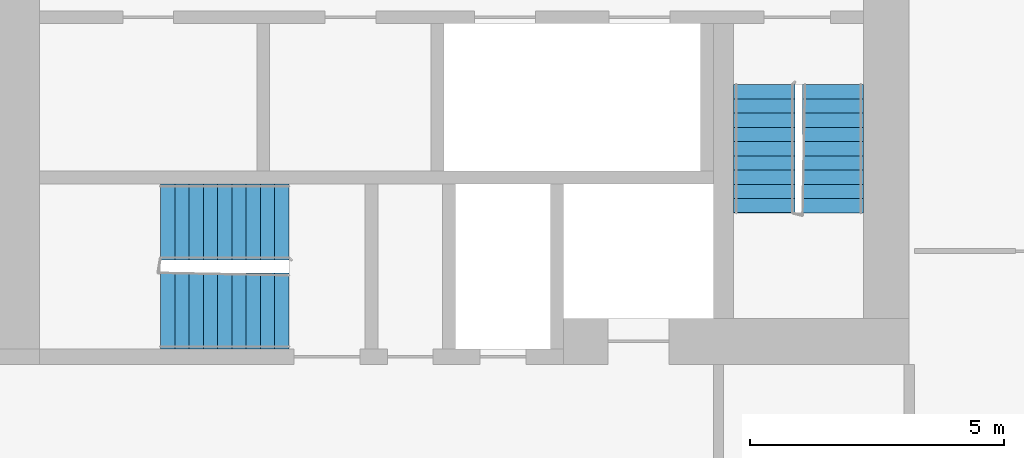
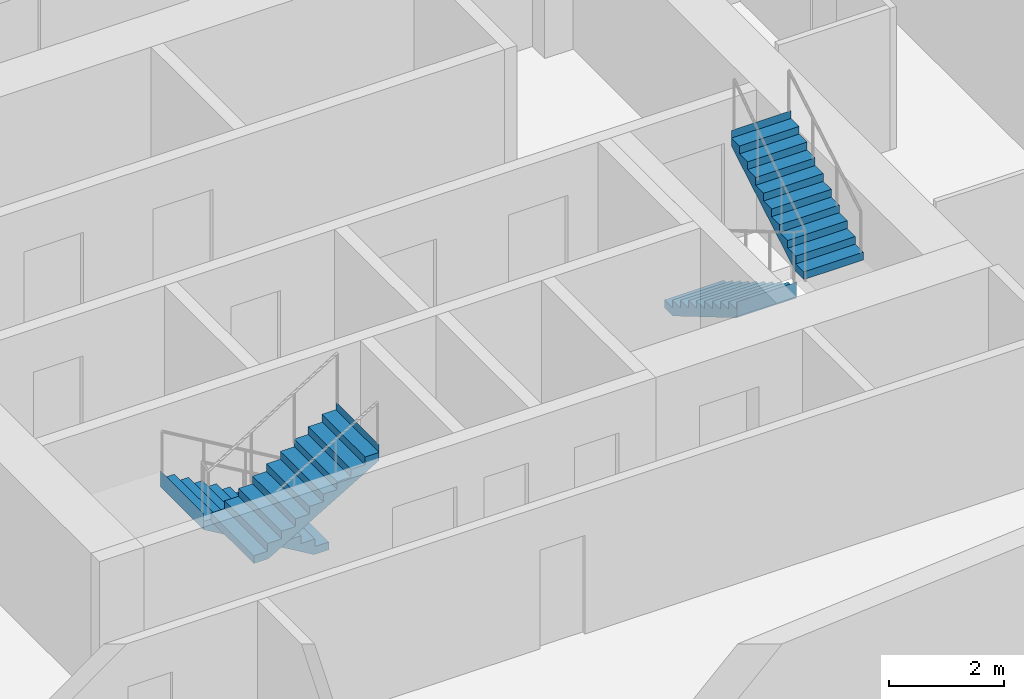
# One storey, part 9 of 12: 4 stair flights, 2 elements without a shape of their own.
"""IFC4 building model written with IfcOpenShell, lengths in metres."""

from ifc_helpers import new_model, si_unit, direction, frame, origin, place, context, subcontext, project, spatial, faceted_brep, material, type_object, element, aggregate, save


model = new_model("IFC4")

# Units and contexts
model_context = context("Model", 3, precision=1e-05, world=origin(), true_north=direction((0.0, 1.0)))
body_context = subcontext(model_context, "Body", "Model", "MODEL_VIEW")
ifc_project = project(units=[si_unit("LENGTHUNIT", "METRE"), si_unit("AREAUNIT", "SQUARE_METRE"), si_unit("VOLUMEUNIT", "CUBIC_METRE"), si_unit("PLANEANGLEUNIT", "RADIAN"), si_unit("MASSUNIT", "GRAM", prefix="KILO")], contexts=[model_context])

# Site, building, storey
site_placement = place(None, origin())
site = spatial("IfcSite", under=ifc_project, at=site_placement, CompositionType="ELEMENT")
building_placement = place(site_placement, origin())
building = spatial("IfcBuilding", under=site, at=building_placement, Name="Kajstack Hotel Tower", CompositionType="ELEMENT")
storey_placement = place(building_placement, frame((0.0, 0.0, 183.39990234375)))
storey = spatial("IfcBuildingStorey", under=building, at=storey_placement, Name="L43", CompositionType="ELEMENT", Elevation=183.39990234375)

# Stair, stair flights
ifc_material = material(Name="Concrete C40/50", Category="concrete")
stair_type_1 = type_object("IfcStairType", Name="Exit stair 1200", PredefinedType="HALF_TURN_STAIR", material=ifc_material)
stair_1_placement = place(storey_placement, origin())
stair_1 = element("IfcStair", 1, at=stair_1_placement, inside=storey, type_object=stair_type_1, Name="L43 stair W2", PredefinedType="HALF_TURN_STAIR")
stair_flight_type_1 = type_object("IfcStairFlightType", Name="Exit stair flight 1200", PredefinedType="STRAIGHT", material=ifc_material)
stair_flight_1_placement = place(storey_placement, frame((-16.35009765625, -10.0, 0.0), z_axis=(0.0, 0.0, 1.0), x_axis=(0.0, -1.0, 0.0)))
stair_flight_1 = element("IfcStairFlight", 2, at=stair_flight_1_placement, type_object=stair_flight_type_1, Name="W2 flight 1", NumberOfRisers=10, NumberOfTreads=9, PredefinedType="STRAIGHT", RiserHeight=0.165, TreadLength=0.28, context=body_context, shape_type="Brep", body=[
    faceted_brep([(0.295654296875, -0.60009765625, 0.0), (2.5205078125, -0.60009765625, 1.31103515625), (2.5205078125, -0.60009765625, 1.64990234375), (2.52001953125, -0.60009765625, 1.64990234375), (2.52001953125, -0.60009765625, 1.485107421875), (2.239990234375, -0.60009765625, 1.485107421875), (2.239990234375, -0.60009765625, 1.320068359375), (1.9599609375, -0.60009765625, 1.320068359375), (1.9599609375, -0.60009765625, 1.155029296875), (1.679931640625, -0.60009765625, 1.155029296875), (1.679931640625, -0.60009765625, 0.989990234375), (1.39990234375, -0.60009765625, 0.989990234375), (1.39990234375, -0.60009765625, 0.824951171875), (1.1201171875, -0.60009765625, 0.824951171875), (1.1201171875, -0.60009765625, 0.659912109375), (0.840087890625, -0.60009765625, 0.659912109375), (0.840087890625, -0.60009765625, 0.4951171875), (0.56005859375, -0.60009765625, 0.4951171875), (0.56005859375, -0.60009765625, 0.330078125), (0.280029296875, -0.60009765625, 0.330078125), (0.280029296875, -0.60009765625, 0.1650390625), (-0.00048828125, -0.60009765625, 0.1650390625), (-0.00048828125, -0.60009765625, 0.0), (-0.00048828125, 0.60009765625, 0.0), (-0.00048828125, 0.60009765625, 0.1650390625), (0.280029296875, 0.60009765625, 0.1650390625), (0.280029296875, 0.60009765625, 0.330078125), (0.56005859375, 0.60009765625, 0.330078125), (0.56005859375, 0.60009765625, 0.4951171875), (0.840087890625, 0.60009765625, 0.4951171875), (0.840087890625, 0.60009765625, 0.659912109375), (1.1201171875, 0.60009765625, 0.659912109375), (1.1201171875, 0.60009765625, 0.824951171875), (1.39990234375, 0.60009765625, 0.824951171875), (1.39990234375, 0.60009765625, 0.989990234375), (1.679931640625, 0.60009765625, 0.989990234375), (1.679931640625, 0.60009765625, 1.155029296875), (1.9599609375, 0.60009765625, 1.155029296875), (1.9599609375, 0.60009765625, 1.320068359375), (2.239990234375, 0.60009765625, 1.320068359375), (2.239990234375, 0.60009765625, 1.485107421875), (2.52001953125, 0.60009765625, 1.485107421875), (2.52001953125, 0.60009765625, 1.64990234375), (2.5205078125, 0.60009765625, 1.64990234375), (2.5205078125, 0.60009765625, 1.31103515625), (0.295654296875, 0.60009765625, 0.0), (-0.00048828125, -0.300048828125, 0.1650390625), (-0.00048828125, 0.0, 0.1650390625), (-0.00048828125, 0.300048828125, 0.1650390625), (-0.00048828125, 0.300048828125, 0.0), (-0.00048828125, 0.0, 0.0), (-0.00048828125, -0.300048828125, 0.0), (0.280029296875, -0.300048828125, 0.1650390625), (0.280029296875, 0.0, 0.1650390625), (0.280029296875, 0.300048828125, 0.1650390625), (0.280029296875, -0.300048828125, 0.330078125), (0.280029296875, 0.0, 0.330078125), (0.280029296875, 0.300048828125, 0.330078125), (0.56005859375, -0.300048828125, 0.330078125), (0.56005859375, 0.0, 0.330078125), (0.56005859375, 0.300048828125, 0.330078125), (0.56005859375, -0.300048828125, 0.4951171875), (0.56005859375, 0.0, 0.4951171875), (0.56005859375, 0.300048828125, 0.4951171875), (0.840087890625, -0.300048828125, 0.4951171875), (0.840087890625, 0.0, 0.4951171875), (0.840087890625, 0.300048828125, 0.4951171875), (0.840087890625, -0.300048828125, 0.659912109375), (0.840087890625, 0.0, 0.659912109375), (0.840087890625, 0.300048828125, 0.659912109375), (1.1201171875, -0.300048828125, 0.659912109375), (1.1201171875, 0.0, 0.659912109375), (1.1201171875, 0.300048828125, 0.659912109375), (1.1201171875, -0.300048828125, 0.824951171875), (1.1201171875, 0.0, 0.824951171875), (1.1201171875, 0.300048828125, 0.824951171875), (1.39990234375, -0.300048828125, 0.824951171875), (1.39990234375, 0.0, 0.824951171875), (1.39990234375, 0.300048828125, 0.824951171875), (1.39990234375, -0.300048828125, 0.989990234375), (1.39990234375, 0.0, 0.989990234375), (1.39990234375, 0.300048828125, 0.989990234375), (1.679931640625, -0.300048828125, 0.989990234375), (1.679931640625, 0.0, 0.989990234375), (1.679931640625, 0.300048828125, 0.989990234375), (1.679931640625, -0.300048828125, 1.155029296875), (1.679931640625, 0.0, 1.155029296875), (1.679931640625, 0.300048828125, 1.155029296875), (1.9599609375, -0.300048828125, 1.155029296875), (1.9599609375, 0.0, 1.155029296875), (1.9599609375, 0.300048828125, 1.155029296875), (1.9599609375, -0.300048828125, 1.320068359375), (1.9599609375, 0.0, 1.320068359375), (1.9599609375, 0.300048828125, 1.320068359375), (2.239990234375, -0.300048828125, 1.320068359375), (2.239990234375, 0.0, 1.320068359375), (2.239990234375, 0.300048828125, 1.320068359375), (2.239990234375, -0.300048828125, 1.485107421875), (2.239990234375, 0.0, 1.485107421875), (2.239990234375, 0.300048828125, 1.485107421875), (2.52001953125, -0.300048828125, 1.485107421875), (2.52001953125, 0.0, 1.485107421875), (2.52001953125, 0.300048828125, 1.485107421875), (2.52001953125, -0.300048828125, 1.64990234375), (2.52001953125, 0.0, 1.64990234375), (2.52001953125, 0.300048828125, 1.64990234375), (2.5205078125, -0.300048828125, 1.64990234375), (2.5205078125, 0.0, 1.64990234375), (2.5205078125, 0.300048828125, 1.64990234375), (2.5205078125, -0.300048828125, 1.31103515625), (2.5205078125, 0.0, 1.31103515625), (2.5205078125, 0.300048828125, 1.31103515625), (0.295654296875, -0.300048828125, 0.0), (0.295654296875, 0.0, 0.0), (0.295654296875, 0.300048828125, 0.0)], [[[0, 1, 2, 3, 4, 5, 6, 7, 8, 9, 10, 11, 12, 13, 14, 15, 16, 17, 18, 19, 20, 21, 22]], [[23, 24, 25, 26, 27, 28, 29, 30, 31, 32, 33, 34, 35, 36, 37, 38, 39, 40, 41, 42, 43, 44, 45]], [[21, 46, 47, 48, 24, 23, 49, 50, 51, 22]], [[20, 52, 53, 54, 25, 24, 48, 47, 46, 21]], [[19, 55, 56, 57, 26, 25, 54, 53, 52, 20]], [[18, 58, 59, 60, 27, 26, 57, 56, 55, 19]], [[17, 61, 62, 63, 28, 27, 60, 59, 58, 18]], [[16, 64, 65, 66, 29, 28, 63, 62, 61, 17]], [[15, 67, 68, 69, 30, 29, 66, 65, 64, 16]], [[14, 70, 71, 72, 31, 30, 69, 68, 67, 15]], [[13, 73, 74, 75, 32, 31, 72, 71, 70, 14]], [[12, 76, 77, 78, 33, 32, 75, 74, 73, 13]], [[11, 79, 80, 81, 34, 33, 78, 77, 76, 12]], [[10, 82, 83, 84, 35, 34, 81, 80, 79, 11]], [[9, 85, 86, 87, 36, 35, 84, 83, 82, 10]], [[8, 88, 89, 90, 37, 36, 87, 86, 85, 9]], [[7, 91, 92, 93, 38, 37, 90, 89, 88, 8]], [[6, 94, 95, 96, 39, 38, 93, 92, 91, 7]], [[5, 97, 98, 99, 40, 39, 96, 95, 94, 6]], [[4, 100, 101, 102, 41, 40, 99, 98, 97, 5]], [[3, 103, 104, 105, 42, 41, 102, 101, 100, 4]], [[2, 106, 107, 108, 43, 42, 105, 104, 103, 3]], [[1, 109, 110, 111, 44, 43, 108, 107, 106, 2]], [[0, 112, 113, 114, 45, 44, 111, 110, 109, 1]], [[22, 51, 50, 49, 23, 45, 114, 113, 112, 0]]]),
])
stair_flight_2_placement = place(storey_placement, frame((-15.0, -12.52001953125, 1.650146484375), z_axis=(0.0, 0.0, 1.0), x_axis=(0.0, 1.0, 0.0)))
stair_flight_2 = element("IfcStairFlight", 3, at=stair_flight_2_placement, type_object=stair_flight_type_1, Name="W2 flight 2", NumberOfRisers=10, NumberOfTreads=9, PredefinedType="STRAIGHT", RiserHeight=0.165, TreadLength=0.28, context=body_context, shape_type="Brep", body=[
    faceted_brep([(0.295654296875, -0.60009765625, 0.0), (2.5205078125, -0.60009765625, 1.31103515625), (2.5205078125, -0.60009765625, 1.64990234375), (2.52001953125, -0.60009765625, 1.64990234375), (2.52001953125, -0.60009765625, 1.485107421875), (2.239990234375, -0.60009765625, 1.485107421875), (2.239990234375, -0.60009765625, 1.320068359375), (1.9599609375, -0.60009765625, 1.320068359375), (1.9599609375, -0.60009765625, 1.155029296875), (1.679931640625, -0.60009765625, 1.155029296875), (1.679931640625, -0.60009765625, 0.989990234375), (1.39990234375, -0.60009765625, 0.989990234375), (1.39990234375, -0.60009765625, 0.824951171875), (1.1201171875, -0.60009765625, 0.824951171875), (1.1201171875, -0.60009765625, 0.659912109375), (0.840087890625, -0.60009765625, 0.659912109375), (0.840087890625, -0.60009765625, 0.4951171875), (0.56005859375, -0.60009765625, 0.4951171875), (0.56005859375, -0.60009765625, 0.330078125), (0.280029296875, -0.60009765625, 0.330078125), (0.280029296875, -0.60009765625, 0.1650390625), (-0.00048828125, -0.60009765625, 0.1650390625), (-0.00048828125, -0.60009765625, 0.0), (-0.00048828125, 0.60009765625, 0.0), (-0.00048828125, 0.60009765625, 0.1650390625), (0.280029296875, 0.60009765625, 0.1650390625), (0.280029296875, 0.60009765625, 0.330078125), (0.56005859375, 0.60009765625, 0.330078125), (0.56005859375, 0.60009765625, 0.4951171875), (0.840087890625, 0.60009765625, 0.4951171875), (0.840087890625, 0.60009765625, 0.659912109375), (1.1201171875, 0.60009765625, 0.659912109375), (1.1201171875, 0.60009765625, 0.824951171875), (1.39990234375, 0.60009765625, 0.824951171875), (1.39990234375, 0.60009765625, 0.989990234375), (1.679931640625, 0.60009765625, 0.989990234375), (1.679931640625, 0.60009765625, 1.155029296875), (1.9599609375, 0.60009765625, 1.155029296875), (1.9599609375, 0.60009765625, 1.320068359375), (2.239990234375, 0.60009765625, 1.320068359375), (2.239990234375, 0.60009765625, 1.485107421875), (2.52001953125, 0.60009765625, 1.485107421875), (2.52001953125, 0.60009765625, 1.64990234375), (2.5205078125, 0.60009765625, 1.64990234375), (2.5205078125, 0.60009765625, 1.31103515625), (0.295654296875, 0.60009765625, 0.0), (-0.00048828125, -0.300048828125, 0.1650390625), (-0.00048828125, 0.0, 0.1650390625), (-0.00048828125, 0.300048828125, 0.1650390625), (-0.00048828125, 0.300048828125, 0.0), (-0.00048828125, 0.0, 0.0), (-0.00048828125, -0.300048828125, 0.0), (0.280029296875, -0.300048828125, 0.1650390625), (0.280029296875, 0.0, 0.1650390625), (0.280029296875, 0.300048828125, 0.1650390625), (0.280029296875, -0.300048828125, 0.330078125), (0.280029296875, 0.0, 0.330078125), (0.280029296875, 0.300048828125, 0.330078125), (0.56005859375, -0.300048828125, 0.330078125), (0.56005859375, 0.0, 0.330078125), (0.56005859375, 0.300048828125, 0.330078125), (0.56005859375, -0.300048828125, 0.4951171875), (0.56005859375, 0.0, 0.4951171875), (0.56005859375, 0.300048828125, 0.4951171875), (0.840087890625, -0.300048828125, 0.4951171875), (0.840087890625, 0.0, 0.4951171875), (0.840087890625, 0.300048828125, 0.4951171875), (0.840087890625, -0.300048828125, 0.659912109375), (0.840087890625, 0.0, 0.659912109375), (0.840087890625, 0.300048828125, 0.659912109375), (1.1201171875, -0.300048828125, 0.659912109375), (1.1201171875, 0.0, 0.659912109375), (1.1201171875, 0.300048828125, 0.659912109375), (1.1201171875, -0.300048828125, 0.824951171875), (1.1201171875, 0.0, 0.824951171875), (1.1201171875, 0.300048828125, 0.824951171875), (1.39990234375, -0.300048828125, 0.824951171875), (1.39990234375, 0.0, 0.824951171875), (1.39990234375, 0.300048828125, 0.824951171875), (1.39990234375, -0.300048828125, 0.989990234375), (1.39990234375, 0.0, 0.989990234375), (1.39990234375, 0.300048828125, 0.989990234375), (1.679931640625, -0.300048828125, 0.989990234375), (1.679931640625, 0.0, 0.989990234375), (1.679931640625, 0.300048828125, 0.989990234375), (1.679931640625, -0.300048828125, 1.155029296875), (1.679931640625, 0.0, 1.155029296875), (1.679931640625, 0.300048828125, 1.155029296875), (1.9599609375, -0.300048828125, 1.155029296875), (1.9599609375, 0.0, 1.155029296875), (1.9599609375, 0.300048828125, 1.155029296875), (1.9599609375, -0.300048828125, 1.320068359375), (1.9599609375, 0.0, 1.320068359375), (1.9599609375, 0.300048828125, 1.320068359375), (2.239990234375, -0.300048828125, 1.320068359375), (2.239990234375, 0.0, 1.320068359375), (2.239990234375, 0.300048828125, 1.320068359375), (2.239990234375, -0.300048828125, 1.485107421875), (2.239990234375, 0.0, 1.485107421875), (2.239990234375, 0.300048828125, 1.485107421875), (2.52001953125, -0.300048828125, 1.485107421875), (2.52001953125, 0.0, 1.485107421875), (2.52001953125, 0.300048828125, 1.485107421875), (2.52001953125, -0.300048828125, 1.64990234375), (2.52001953125, 0.0, 1.64990234375), (2.52001953125, 0.300048828125, 1.64990234375), (2.5205078125, -0.300048828125, 1.64990234375), (2.5205078125, 0.0, 1.64990234375), (2.5205078125, 0.300048828125, 1.64990234375), (2.5205078125, -0.300048828125, 1.31103515625), (2.5205078125, 0.0, 1.31103515625), (2.5205078125, 0.300048828125, 1.31103515625), (0.295654296875, -0.300048828125, 0.0), (0.295654296875, 0.0, 0.0), (0.295654296875, 0.300048828125, 0.0)], [[[0, 1, 2, 3, 4, 5, 6, 7, 8, 9, 10, 11, 12, 13, 14, 15, 16, 17, 18, 19, 20, 21, 22]], [[23, 24, 25, 26, 27, 28, 29, 30, 31, 32, 33, 34, 35, 36, 37, 38, 39, 40, 41, 42, 43, 44, 45]], [[21, 46, 47, 48, 24, 23, 49, 50, 51, 22]], [[20, 52, 53, 54, 25, 24, 48, 47, 46, 21]], [[19, 55, 56, 57, 26, 25, 54, 53, 52, 20]], [[18, 58, 59, 60, 27, 26, 57, 56, 55, 19]], [[17, 61, 62, 63, 28, 27, 60, 59, 58, 18]], [[16, 64, 65, 66, 29, 28, 63, 62, 61, 17]], [[15, 67, 68, 69, 30, 29, 66, 65, 64, 16]], [[14, 70, 71, 72, 31, 30, 69, 68, 67, 15]], [[13, 73, 74, 75, 32, 31, 72, 71, 70, 14]], [[12, 76, 77, 78, 33, 32, 75, 74, 73, 13]], [[11, 79, 80, 81, 34, 33, 78, 77, 76, 12]], [[10, 82, 83, 84, 35, 34, 81, 80, 79, 11]], [[9, 85, 86, 87, 36, 35, 84, 83, 82, 10]], [[8, 88, 89, 90, 37, 36, 87, 86, 85, 9]], [[7, 91, 92, 93, 38, 37, 90, 89, 88, 8]], [[6, 94, 95, 96, 39, 38, 93, 92, 91, 7]], [[5, 97, 98, 99, 40, 39, 96, 95, 94, 6]], [[4, 100, 101, 102, 41, 40, 99, 98, 97, 5]], [[3, 103, 104, 105, 42, 41, 102, 101, 100, 4]], [[2, 106, 107, 108, 43, 42, 105, 104, 103, 3]], [[1, 109, 110, 111, 44, 43, 108, 107, 106, 2]], [[0, 112, 113, 114, 45, 44, 111, 110, 109, 1]], [[22, 51, 50, 49, 23, 45, 114, 113, 112, 0]]]),
])
aggregate(stair_1, [stair_flight_1, stair_flight_2])

stair_type_2 = type_object("IfcStairType", Name="Exit stair 1500", PredefinedType="HALF_TURN_STAIR", material=ifc_material)
stair_2_placement = place(storey_placement, origin())
stair_2 = element("IfcStair", 4, at=stair_2_placement, inside=storey, type_object=stair_type_2, Name="L43 stair W3", PredefinedType="HALF_TURN_STAIR")
stair_flight_type_2 = type_object("IfcStairFlightType", Name="Exit stair flight 1500", PredefinedType="STRAIGHT", material=ifc_material)
stair_flight_3_placement = place(storey_placement, frame((-25.699951171875, -12.699951171875, 0.0), z_axis=(0.0, 0.0, 1.0), x_axis=(-1.0, 0.0, 0.0)))
stair_flight_3 = element("IfcStairFlight", 5, at=stair_flight_3_placement, type_object=stair_flight_type_2, Name="W3 flight 1", NumberOfRisers=10, NumberOfTreads=9, PredefinedType="STRAIGHT", RiserHeight=0.165, TreadLength=0.28, context=body_context, shape_type="Brep", body=[
    faceted_brep([(0.295654296875, -0.75, 0.0), (2.5205078125, -0.75, 1.31103515625), (2.5205078125, -0.75, 1.64990234375), (2.52001953125, -0.75, 1.64990234375), (2.52001953125, -0.75, 1.485107421875), (2.239990234375, -0.75, 1.485107421875), (2.239990234375, -0.75, 1.320068359375), (1.9599609375, -0.75, 1.320068359375), (1.9599609375, -0.75, 1.155029296875), (1.679931640625, -0.75, 1.155029296875), (1.679931640625, -0.75, 0.989990234375), (1.39990234375, -0.75, 0.989990234375), (1.39990234375, -0.75, 0.824951171875), (1.1201171875, -0.75, 0.824951171875), (1.1201171875, -0.75, 0.659912109375), (0.840087890625, -0.75, 0.659912109375), (0.840087890625, -0.75, 0.4951171875), (0.56005859375, -0.75, 0.4951171875), (0.56005859375, -0.75, 0.330078125), (0.280029296875, -0.75, 0.330078125), (0.280029296875, -0.75, 0.1650390625), (-0.00048828125, -0.75, 0.1650390625), (-0.00048828125, -0.75, 0.0), (-0.00048828125, 0.75, 0.0), (-0.00048828125, 0.75, 0.1650390625), (0.280029296875, 0.75, 0.1650390625), (0.280029296875, 0.75, 0.330078125), (0.56005859375, 0.75, 0.330078125), (0.56005859375, 0.75, 0.4951171875), (0.840087890625, 0.75, 0.4951171875), (0.840087890625, 0.75, 0.659912109375), (1.1201171875, 0.75, 0.659912109375), (1.1201171875, 0.75, 0.824951171875), (1.39990234375, 0.75, 0.824951171875), (1.39990234375, 0.75, 0.989990234375), (1.679931640625, 0.75, 0.989990234375), (1.679931640625, 0.75, 1.155029296875), (1.9599609375, 0.75, 1.155029296875), (1.9599609375, 0.75, 1.320068359375), (2.239990234375, 0.75, 1.320068359375), (2.239990234375, 0.75, 1.485107421875), (2.52001953125, 0.75, 1.485107421875), (2.52001953125, 0.75, 1.64990234375), (2.5205078125, 0.75, 1.64990234375), (2.5205078125, 0.75, 1.31103515625), (0.295654296875, 0.75, 0.0), (-0.00048828125, -0.375, 0.1650390625), (-0.00048828125, 0.0, 0.1650390625), (-0.00048828125, 0.375, 0.1650390625), (-0.00048828125, 0.375, 0.0), (-0.00048828125, 0.0, 0.0), (-0.00048828125, -0.375, 0.0), (0.280029296875, -0.375, 0.1650390625), (0.280029296875, 0.0, 0.1650390625), (0.280029296875, 0.375, 0.1650390625), (0.280029296875, -0.375, 0.330078125), (0.280029296875, 0.0, 0.330078125), (0.280029296875, 0.375, 0.330078125), (0.56005859375, -0.375, 0.330078125), (0.56005859375, 0.0, 0.330078125), (0.56005859375, 0.375, 0.330078125), (0.56005859375, -0.375, 0.4951171875), (0.56005859375, 0.0, 0.4951171875), (0.56005859375, 0.375, 0.4951171875), (0.840087890625, -0.375, 0.4951171875), (0.840087890625, 0.0, 0.4951171875), (0.840087890625, 0.375, 0.4951171875), (0.840087890625, -0.375, 0.659912109375), (0.840087890625, 0.0, 0.659912109375), (0.840087890625, 0.375, 0.659912109375), (1.1201171875, -0.375, 0.659912109375), (1.1201171875, 0.0, 0.659912109375), (1.1201171875, 0.375, 0.659912109375), (1.1201171875, -0.375, 0.824951171875), (1.1201171875, 0.0, 0.824951171875), (1.1201171875, 0.375, 0.824951171875), (1.39990234375, -0.375, 0.824951171875), (1.39990234375, 0.0, 0.824951171875), (1.39990234375, 0.375, 0.824951171875), (1.39990234375, -0.375, 0.989990234375), (1.39990234375, 0.0, 0.989990234375), (1.39990234375, 0.375, 0.989990234375), (1.679931640625, -0.375, 0.989990234375), (1.679931640625, 0.0, 0.989990234375), (1.679931640625, 0.375, 0.989990234375), (1.679931640625, -0.375, 1.155029296875), (1.679931640625, 0.0, 1.155029296875), (1.679931640625, 0.375, 1.155029296875), (1.9599609375, -0.375, 1.155029296875), (1.9599609375, 0.0, 1.155029296875), (1.9599609375, 0.375, 1.155029296875), (1.9599609375, -0.375, 1.320068359375), (1.9599609375, 0.0, 1.320068359375), (1.9599609375, 0.375, 1.320068359375), (2.239990234375, -0.375, 1.320068359375), (2.239990234375, 0.0, 1.320068359375), (2.239990234375, 0.375, 1.320068359375), (2.239990234375, -0.375, 1.485107421875), (2.239990234375, 0.0, 1.485107421875), (2.239990234375, 0.375, 1.485107421875), (2.52001953125, -0.375, 1.485107421875), (2.52001953125, 0.0, 1.485107421875), (2.52001953125, 0.375, 1.485107421875), (2.52001953125, -0.375, 1.64990234375), (2.52001953125, 0.0, 1.64990234375), (2.52001953125, 0.375, 1.64990234375), (2.5205078125, -0.375, 1.64990234375), (2.5205078125, 0.0, 1.64990234375), (2.5205078125, 0.375, 1.64990234375), (2.5205078125, -0.375, 1.31103515625), (2.5205078125, 0.0, 1.31103515625), (2.5205078125, 0.375, 1.31103515625), (0.295654296875, -0.375, 0.0), (0.295654296875, 0.0, 0.0), (0.295654296875, 0.375, 0.0)], [[[0, 1, 2, 3, 4, 5, 6, 7, 8, 9, 10, 11, 12, 13, 14, 15, 16, 17, 18, 19, 20, 21, 22]], [[23, 24, 25, 26, 27, 28, 29, 30, 31, 32, 33, 34, 35, 36, 37, 38, 39, 40, 41, 42, 43, 44, 45]], [[21, 46, 47, 48, 24, 23, 49, 50, 51, 22]], [[20, 52, 53, 54, 25, 24, 48, 47, 46, 21]], [[19, 55, 56, 57, 26, 25, 54, 53, 52, 20]], [[18, 58, 59, 60, 27, 26, 57, 56, 55, 19]], [[17, 61, 62, 63, 28, 27, 60, 59, 58, 18]], [[16, 64, 65, 66, 29, 28, 63, 62, 61, 17]], [[15, 67, 68, 69, 30, 29, 66, 65, 64, 16]], [[14, 70, 71, 72, 31, 30, 69, 68, 67, 15]], [[13, 73, 74, 75, 32, 31, 72, 71, 70, 14]], [[12, 76, 77, 78, 33, 32, 75, 74, 73, 13]], [[11, 79, 80, 81, 34, 33, 78, 77, 76, 12]], [[10, 82, 83, 84, 35, 34, 81, 80, 79, 11]], [[9, 85, 86, 87, 36, 35, 84, 83, 82, 10]], [[8, 88, 89, 90, 37, 36, 87, 86, 85, 9]], [[7, 91, 92, 93, 38, 37, 90, 89, 88, 8]], [[6, 94, 95, 96, 39, 38, 93, 92, 91, 7]], [[5, 97, 98, 99, 40, 39, 96, 95, 94, 6]], [[4, 100, 101, 102, 41, 40, 99, 98, 97, 5]], [[3, 103, 104, 105, 42, 41, 102, 101, 100, 4]], [[2, 106, 107, 108, 43, 42, 105, 104, 103, 3]], [[1, 109, 110, 111, 44, 43, 108, 107, 106, 2]], [[0, 112, 113, 114, 45, 44, 111, 110, 109, 1]], [[22, 51, 50, 49, 23, 45, 114, 113, 112, 0]]]),
])
stair_flight_4_placement = place(storey_placement, frame((-28.219970703125, -14.449951171875, 1.650146484375), z_axis=(0.0, 0.0, 1.0), x_axis=(1.0, 0.0, 0.0)))
stair_flight_4 = element("IfcStairFlight", 6, at=stair_flight_4_placement, type_object=stair_flight_type_2, Name="W3 flight 2", NumberOfRisers=10, NumberOfTreads=9, PredefinedType="STRAIGHT", RiserHeight=0.165, TreadLength=0.28, context=body_context, shape_type="Brep", body=[
    faceted_brep([(0.295654296875, -0.75, 0.0), (2.5205078125, -0.75, 1.31103515625), (2.5205078125, -0.75, 1.64990234375), (2.52001953125, -0.75, 1.64990234375), (2.52001953125, -0.75, 1.485107421875), (2.239990234375, -0.75, 1.485107421875), (2.239990234375, -0.75, 1.320068359375), (1.9599609375, -0.75, 1.320068359375), (1.9599609375, -0.75, 1.155029296875), (1.679931640625, -0.75, 1.155029296875), (1.679931640625, -0.75, 0.989990234375), (1.39990234375, -0.75, 0.989990234375), (1.39990234375, -0.75, 0.824951171875), (1.1201171875, -0.75, 0.824951171875), (1.1201171875, -0.75, 0.659912109375), (0.840087890625, -0.75, 0.659912109375), (0.840087890625, -0.75, 0.4951171875), (0.56005859375, -0.75, 0.4951171875), (0.56005859375, -0.75, 0.330078125), (0.280029296875, -0.75, 0.330078125), (0.280029296875, -0.75, 0.1650390625), (-0.00048828125, -0.75, 0.1650390625), (-0.00048828125, -0.75, 0.0), (-0.00048828125, 0.75, 0.0), (-0.00048828125, 0.75, 0.1650390625), (0.280029296875, 0.75, 0.1650390625), (0.280029296875, 0.75, 0.330078125), (0.56005859375, 0.75, 0.330078125), (0.56005859375, 0.75, 0.4951171875), (0.840087890625, 0.75, 0.4951171875), (0.840087890625, 0.75, 0.659912109375), (1.1201171875, 0.75, 0.659912109375), (1.1201171875, 0.75, 0.824951171875), (1.39990234375, 0.75, 0.824951171875), (1.39990234375, 0.75, 0.989990234375), (1.679931640625, 0.75, 0.989990234375), (1.679931640625, 0.75, 1.155029296875), (1.9599609375, 0.75, 1.155029296875), (1.9599609375, 0.75, 1.320068359375), (2.239990234375, 0.75, 1.320068359375), (2.239990234375, 0.75, 1.485107421875), (2.52001953125, 0.75, 1.485107421875), (2.52001953125, 0.75, 1.64990234375), (2.5205078125, 0.75, 1.64990234375), (2.5205078125, 0.75, 1.31103515625), (0.295654296875, 0.75, 0.0), (-0.00048828125, -0.375, 0.1650390625), (-0.00048828125, 0.0, 0.1650390625), (-0.00048828125, 0.375, 0.1650390625), (-0.00048828125, 0.375, 0.0), (-0.00048828125, 0.0, 0.0), (-0.00048828125, -0.375, 0.0), (0.280029296875, -0.375, 0.1650390625), (0.280029296875, 0.0, 0.1650390625), (0.280029296875, 0.375, 0.1650390625), (0.280029296875, -0.375, 0.330078125), (0.280029296875, 0.0, 0.330078125), (0.280029296875, 0.375, 0.330078125), (0.56005859375, -0.375, 0.330078125), (0.56005859375, 0.0, 0.330078125), (0.56005859375, 0.375, 0.330078125), (0.56005859375, -0.375, 0.4951171875), (0.56005859375, 0.0, 0.4951171875), (0.56005859375, 0.375, 0.4951171875), (0.840087890625, -0.375, 0.4951171875), (0.840087890625, 0.0, 0.4951171875), (0.840087890625, 0.375, 0.4951171875), (0.840087890625, -0.375, 0.659912109375), (0.840087890625, 0.0, 0.659912109375), (0.840087890625, 0.375, 0.659912109375), (1.1201171875, -0.375, 0.659912109375), (1.1201171875, 0.0, 0.659912109375), (1.1201171875, 0.375, 0.659912109375), (1.1201171875, -0.375, 0.824951171875), (1.1201171875, 0.0, 0.824951171875), (1.1201171875, 0.375, 0.824951171875), (1.39990234375, -0.375, 0.824951171875), (1.39990234375, 0.0, 0.824951171875), (1.39990234375, 0.375, 0.824951171875), (1.39990234375, -0.375, 0.989990234375), (1.39990234375, 0.0, 0.989990234375), (1.39990234375, 0.375, 0.989990234375), (1.679931640625, -0.375, 0.989990234375), (1.679931640625, 0.0, 0.989990234375), (1.679931640625, 0.375, 0.989990234375), (1.679931640625, -0.375, 1.155029296875), (1.679931640625, 0.0, 1.155029296875), (1.679931640625, 0.375, 1.155029296875), (1.9599609375, -0.375, 1.155029296875), (1.9599609375, 0.0, 1.155029296875), (1.9599609375, 0.375, 1.155029296875), (1.9599609375, -0.375, 1.320068359375), (1.9599609375, 0.0, 1.320068359375), (1.9599609375, 0.375, 1.320068359375), (2.239990234375, -0.375, 1.320068359375), (2.239990234375, 0.0, 1.320068359375), (2.239990234375, 0.375, 1.320068359375), (2.239990234375, -0.375, 1.485107421875), (2.239990234375, 0.0, 1.485107421875), (2.239990234375, 0.375, 1.485107421875), (2.52001953125, -0.375, 1.485107421875), (2.52001953125, 0.0, 1.485107421875), (2.52001953125, 0.375, 1.485107421875), (2.52001953125, -0.375, 1.64990234375), (2.52001953125, 0.0, 1.64990234375), (2.52001953125, 0.375, 1.64990234375), (2.5205078125, -0.375, 1.64990234375), (2.5205078125, 0.0, 1.64990234375), (2.5205078125, 0.375, 1.64990234375), (2.5205078125, -0.375, 1.31103515625), (2.5205078125, 0.0, 1.31103515625), (2.5205078125, 0.375, 1.31103515625), (0.295654296875, -0.375, 0.0), (0.295654296875, 0.0, 0.0), (0.295654296875, 0.375, 0.0)], [[[0, 1, 2, 3, 4, 5, 6, 7, 8, 9, 10, 11, 12, 13, 14, 15, 16, 17, 18, 19, 20, 21, 22]], [[23, 24, 25, 26, 27, 28, 29, 30, 31, 32, 33, 34, 35, 36, 37, 38, 39, 40, 41, 42, 43, 44, 45]], [[21, 46, 47, 48, 24, 23, 49, 50, 51, 22]], [[20, 52, 53, 54, 25, 24, 48, 47, 46, 21]], [[19, 55, 56, 57, 26, 25, 54, 53, 52, 20]], [[18, 58, 59, 60, 27, 26, 57, 56, 55, 19]], [[17, 61, 62, 63, 28, 27, 60, 59, 58, 18]], [[16, 64, 65, 66, 29, 28, 63, 62, 61, 17]], [[15, 67, 68, 69, 30, 29, 66, 65, 64, 16]], [[14, 70, 71, 72, 31, 30, 69, 68, 67, 15]], [[13, 73, 74, 75, 32, 31, 72, 71, 70, 14]], [[12, 76, 77, 78, 33, 32, 75, 74, 73, 13]], [[11, 79, 80, 81, 34, 33, 78, 77, 76, 12]], [[10, 82, 83, 84, 35, 34, 81, 80, 79, 11]], [[9, 85, 86, 87, 36, 35, 84, 83, 82, 10]], [[8, 88, 89, 90, 37, 36, 87, 86, 85, 9]], [[7, 91, 92, 93, 38, 37, 90, 89, 88, 8]], [[6, 94, 95, 96, 39, 38, 93, 92, 91, 7]], [[5, 97, 98, 99, 40, 39, 96, 95, 94, 6]], [[4, 100, 101, 102, 41, 40, 99, 98, 97, 5]], [[3, 103, 104, 105, 42, 41, 102, 101, 100, 4]], [[2, 106, 107, 108, 43, 42, 105, 104, 103, 3]], [[1, 109, 110, 111, 44, 43, 108, 107, 106, 2]], [[0, 112, 113, 114, 45, 44, 111, 110, 109, 1]], [[22, 51, 50, 49, 23, 45, 114, 113, 112, 0]]]),
])
aggregate(stair_2, [stair_flight_3, stair_flight_4])

save(model, "model.ifc")
